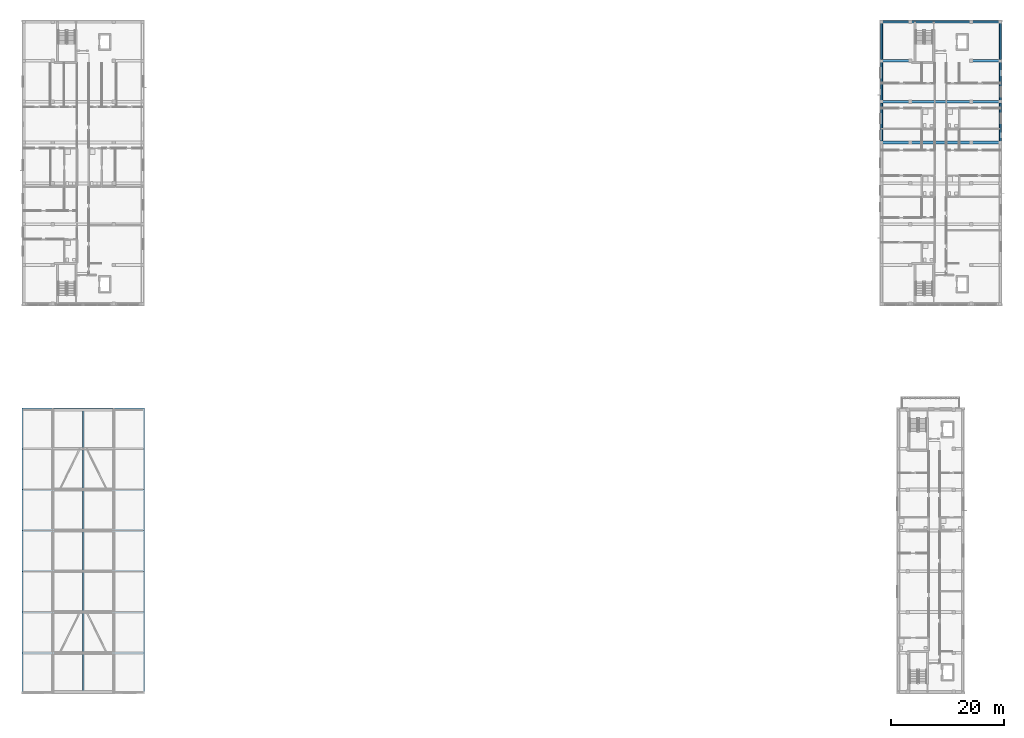
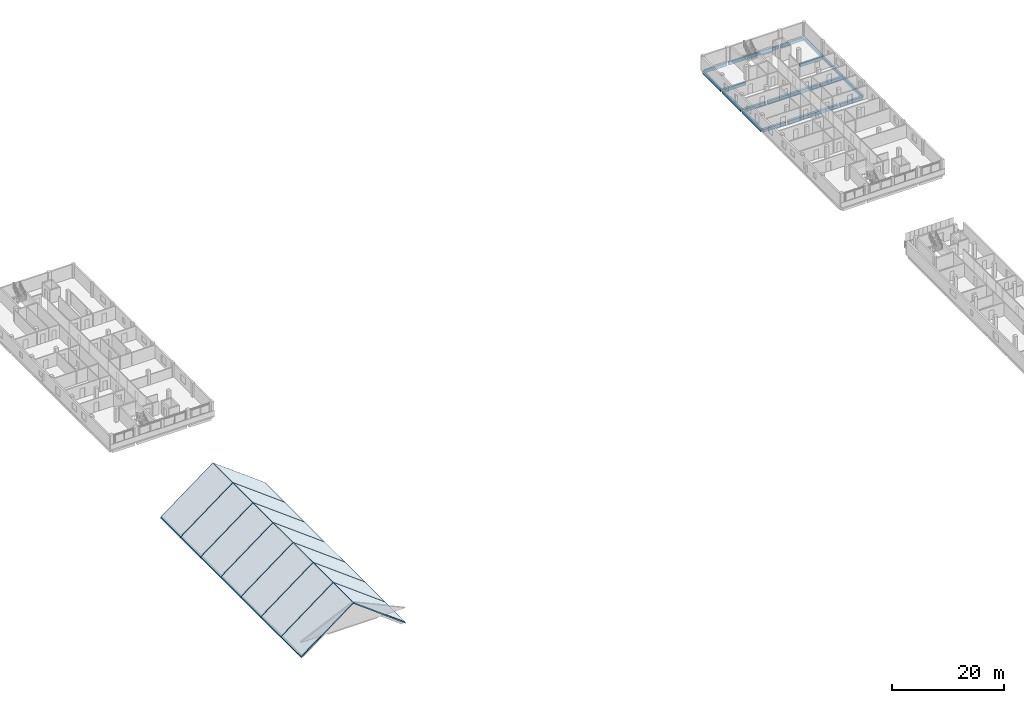
# One storey, part 7 of 35: 17 beams, 14 slabs, 1 element without a shape of its own.
"""IFC4 building model written with IfcOpenShell, lengths in metres."""

from ifc_helpers import new_model, si_unit, derived_unit, direction, frame, origin, origin_2d, place, context, subcontext, project, spatial, polyline, rectangle, outline, extrude, material, layer, layer_set, material_profile, profile_set, type_object, element, aggregate, save


model = new_model("IFC4")

# Units and contexts
model_context = context("Model", 3, precision=1e-05, world=origin(), true_north=direction((0.0, 1.0)))
body_context = subcontext(model_context, "Body", "Model", "MODEL_VIEW")
ifc_project = project(units=[si_unit("LENGTHUNIT", "METRE"), si_unit("AREAUNIT", "SQUARE_METRE"), si_unit("VOLUMEUNIT", "CUBIC_METRE"), si_unit("PLANEANGLEUNIT", "RADIAN"), si_unit("MASSUNIT", "GRAM", prefix="KILO"), derived_unit("THERMALTRANSMITTANCEUNIT", [(si_unit("MASSUNIT", "GRAM", prefix="KILO"), 1), (si_unit("TIMEUNIT", "SECOND"), -3), (si_unit("THERMODYNAMICTEMPERATUREUNIT", "KELVIN"), -1)])], contexts=[model_context])

# Site, building, storey
site_placement = place(None, origin())
site = spatial("IfcSite", under=ifc_project, at=site_placement, CompositionType="ELEMENT")
building_placement = place(site_placement, origin())
building = spatial("IfcBuilding", under=site, at=building_placement, Name="Ochrekiln Boulevard Commons", CompositionType="ELEMENT")
storey_placement = place(building_placement, frame((0.0, 0.0, 30.97509765625)))
storey = spatial("IfcBuildingStorey", under=building, at=storey_placement, Name="L09", CompositionType="ELEMENT", Elevation=30.97509765625)

# Beams
ifc_material_1 = material(Name="Concrete C35/45", Category="concrete")
ifc_material_profile_1 = material_profile(ifc_material_1, rectangle(XDim=0.449951171875, YDim=0.64990234375, at=origin_2d()), Name="RC-BM-450x650")
ifc_profile_set_1 = profile_set([ifc_material_profile_1], Name="Concrete C35/45")
beam_type_1 = type_object("IfcBeamType", Name="BM-RC-450x650", PredefinedType="BEAM", material=ifc_profile_set_1)
for number, where, z_axis, x_axis, name in (
    (1, (151.760009765625, 97.199951171875, -0.585205078125), (1.0, 0.0, 0.0), (0.0, 1.0, 0.0), "Block B L09 Beam B-4565 X12"),
    (2, (167.610107421875, 97.199951171875, -0.585205078125), (1.0, 0.0, 0.0), (0.0, 1.0, 0.0), "Block B L09 Beam B-4565 X14"),
    (3, (151.760009765625, 104.39990234375, -0.585205078125), (1.0, 0.0, 0.0), (0.0, 1.0, 0.0), "Block B L09 Beam B-4565 X15"),
    (4, (167.610107421875, 104.39990234375, -0.585205078125), (1.0, 0.0, 0.0), (0.0, 1.0, 0.0), "Block B L09 Beam B-4565 X17"),
    (5, (151.760009765625, 111.60009765625, -0.585205078125), (1.0, 0.0, 0.0), (0.0, 1.0, 0.0), "Block B L09 Beam B-4565 X18"),
    (6, (167.610107421875, 111.60009765625, -0.585205078125), (1.0, 0.0, 0.0), (0.0, 1.0, 0.0), "Block B L09 Beam B-4565 X19"),
):
    element("IfcBeam", number, at=place(storey_placement, frame(where, z_axis=z_axis, x_axis=x_axis)), inside=storey, type_object=beam_type_1, Name=name, PredefinedType="BEAM", context=body_context, shape_type="SweptSolid", body=[
        extrude(rectangle(XDim=0.449951171875, YDim=0.64990234375, at=origin_2d()), origin(), (0.0, 0.0, 1.0), 4.6298828125),
    ])
ifc_material_2 = material(Name="Concrete C40/50", Category="concrete")
ifc_material_profile_2 = material_profile(ifc_material_2, rectangle(XDim=0.5, YDim=0.699951171875, at=origin_2d()), Name="RC-BM-500x700")
ifc_profile_set_2 = profile_set([ifc_material_profile_2], Name="Concrete C40/50")
beam_type_2 = type_object("IfcBeamType", Name="BM-RC-500x700", PredefinedType="BEAM", material=ifc_profile_set_2)
for number, where, z_axis, x_axis, name in (
    (7, (156.81005859375, 97.199951171875, -0.610107421875), (1.0, 0.0, 0.0), (0.0, 1.0, 0.0), "Block B L09 Beam B-5070 X13"),
    (8, (156.81005859375, 104.39990234375, -0.610107421875), (1.0, 0.0, 0.0), (0.0, 1.0, 0.0), "Block B L09 Beam B-5070 X16"),
):
    element("IfcBeam", number, at=place(storey_placement, frame(where, z_axis=z_axis, x_axis=x_axis)), inside=storey, type_object=beam_type_2, Name=name, PredefinedType="BEAM", context=body_context, shape_type="SweptSolid", body=[
        extrude(rectangle(XDim=0.5, YDim=0.699951171875, at=origin_2d()), origin(), (0.0, 0.0, 1.0), 10.3798828125),
    ])
ifc_material_profile_3 = material_profile(ifc_material_2, rectangle(XDim=0.35009765625, YDim=0.64990234375, at=origin_2d()), Name="RC-SPN-350x650")
ifc_profile_set_3 = profile_set([ifc_material_profile_3], Name="Concrete C40/50")
beam_type_3 = type_object("IfcBeamType", Name="SPN-RC-350x650", PredefinedType="SPANDREL", material=ifc_profile_set_3)
beam_1_placement = place(storey_placement, frame((151.760009765625, 118.449951171875, -0.585205078125), z_axis=(1.0, 0.0, 0.0), x_axis=(0.0, 1.0, 0.0)))
element("IfcBeam", 9, at=beam_1_placement, inside=storey, type_object=beam_type_3, Name="Block B L09 Beam SP-3565 X20", PredefinedType="SPANDREL", context=body_context, shape_type="SweptSolid", body=[
    extrude(rectangle(XDim=0.35009765625, YDim=0.64990234375, at=origin_2d()), origin(), (0.0, 0.0, 1.0), 4.6298828125),
])
beam_2_placement = place(storey_placement, frame((156.81005859375, 118.449951171875, -0.585205078125), z_axis=(1.0, 0.0, 0.0), x_axis=(0.0, 1.0, 0.0)))
element("IfcBeam", 10, at=beam_2_placement, inside=storey, type_object=beam_type_3, Name="Block B L09 Beam SP-3565 X21", PredefinedType="SPANDREL", context=body_context, shape_type="SweptSolid", body=[
    extrude(rectangle(XDim=0.35009765625, YDim=0.64990234375, at=origin_2d()), origin(), (0.0, 0.0, 1.0), 10.3798828125),
])
beam_3_placement = place(storey_placement, frame((167.610107421875, 118.449951171875, -0.585205078125), z_axis=(1.0, 0.0, 0.0), x_axis=(0.0, 1.0, 0.0)))
element("IfcBeam", 11, at=beam_3_placement, inside=storey, type_object=beam_type_3, Name="Block B L09 Beam SP-3565 X22", PredefinedType="SPANDREL", context=body_context, shape_type="SweptSolid", body=[
    extrude(rectangle(XDim=0.35009765625, YDim=0.64990234375, at=origin_2d()), origin(), (0.0, 0.0, 1.0), 4.6298828125),
])
beam_4_placement = place(storey_placement, frame((151.550048828125, 97.409912109375, -0.585205078125), z_axis=(0.0, 1.0, 0.0), x_axis=(-1.0, 0.0, 0.0)))
element("IfcBeam", 12, at=beam_4_placement, inside=storey, type_object=beam_type_3, Name="Block B L09 Beam SP-3565 Y27", PredefinedType="SPANDREL", context=body_context, shape_type="SweptSolid", body=[
    extrude(rectangle(XDim=0.35009765625, YDim=0.64990234375, at=origin_2d()), origin(), (0.0, 0.0, 1.0), 6.780029296875),
])
beam_5_placement = place(storey_placement, frame((151.550048828125, 104.610107421875, -0.585205078125), z_axis=(0.0, 1.0, 0.0), x_axis=(-1.0, 0.0, 0.0)))
element("IfcBeam", 13, at=beam_5_placement, inside=storey, type_object=beam_type_3, Name="Block B L09 Beam SP-3565 Y28", PredefinedType="SPANDREL", context=body_context, shape_type="SweptSolid", body=[
    extrude(rectangle(XDim=0.35009765625, YDim=0.64990234375, at=origin_2d()), origin(), (0.0, 0.0, 1.0), 6.77978515625),
])
beam_6_placement = place(storey_placement, frame((151.550048828125, 111.81005859375, -0.585205078125), z_axis=(0.0, 1.0, 0.0), x_axis=(-1.0, 0.0, 0.0)))
element("IfcBeam", 14, at=beam_6_placement, inside=storey, type_object=beam_type_3, Name="Block B L09 Beam SP-3565 Y29", PredefinedType="SPANDREL", context=body_context, shape_type="SweptSolid", body=[
    extrude(rectangle(XDim=0.35009765625, YDim=0.64990234375, at=origin_2d()), origin(), (0.0, 0.0, 1.0), 6.429931640625),
])
beam_7_placement = place(storey_placement, frame((172.449951171875, 97.409912109375, -0.585205078125), z_axis=(0.0, 1.0, 0.0), x_axis=(-1.0, 0.0, 0.0)))
element("IfcBeam", 15, at=beam_7_placement, inside=storey, type_object=beam_type_3, Name="Block B L09 Beam SP-3565 Y34", PredefinedType="SPANDREL", context=body_context, shape_type="SweptSolid", body=[
    extrude(rectangle(XDim=0.35009765625, YDim=0.64990234375, at=origin_2d()), origin(), (0.0, 0.0, 1.0), 6.780029296875),
])
beam_8_placement = place(storey_placement, frame((172.449951171875, 104.610107421875, -0.585205078125), z_axis=(0.0, 1.0, 0.0), x_axis=(-1.0, 0.0, 0.0)))
element("IfcBeam", 16, at=beam_8_placement, inside=storey, type_object=beam_type_3, Name="Block B L09 Beam SP-3565 Y35", PredefinedType="SPANDREL", context=body_context, shape_type="SweptSolid", body=[
    extrude(rectangle(XDim=0.35009765625, YDim=0.64990234375, at=origin_2d()), origin(), (0.0, 0.0, 1.0), 6.77978515625),
])
beam_9_placement = place(storey_placement, frame((172.449951171875, 111.81005859375, -0.585205078125), z_axis=(0.0, 1.0, 0.0), x_axis=(-1.0, 0.0, 0.0)))
element("IfcBeam", 17, at=beam_9_placement, inside=storey, type_object=beam_type_3, Name="Block B L09 Beam SP-3565 Y36", PredefinedType="SPANDREL", context=body_context, shape_type="SweptSolid", body=[
    extrude(rectangle(XDim=0.35009765625, YDim=0.64990234375, at=origin_2d()), origin(), (0.0, 0.0, 1.0), 6.429931640625),
])

# Roof, slabs
roof_type = type_object("IfcRoofType", Name="ROOF-GABLE", PredefinedType="GABLE_ROOF", material=ifc_material_1)
roof_placement = place(storey_placement, origin())
roof = element("IfcRoof", 18, at=roof_placement, inside=storey, type_object=roof_type, Name="Block D Two-Storey Steep Solar Gable Roof", PredefinedType="GABLE_ROOF")
ifc_layer = layer(ifc_material_1, 0.239990234375)
ifc_layer_set = layer_set([ifc_layer], Name="Concrete C35/45")
slab_type = type_object("IfcSlabType", Name="SLB-GABLE-240", PredefinedType="ROOF", material=ifc_layer_set)
slab_1_placement = place(storey_placement, frame((0.0, 7.199951171875, -3.7001953125), z_axis=(0.0, -1.0, 0.0), x_axis=(1.0, 0.0, 0.0)))
slab_1 = element("IfcSlab", 19, at=slab_1_placement, type_object=slab_type, Name="Block D Solar Gable Roof Slab 1W", PredefinedType="ROOF", context=body_context, shape_type="SweptSolid", body=[
    extrude(outline(polyline([(0.0, 0.0), (10.800048828125, 8.10009765625), (10.800048828125, 7.800048828125), (0.0, -0.300048828125), (0.0, 0.0)])), origin(), (0.0, 0.0, 1.0), 7.199951171875),
])
slab_2_placement = place(storey_placement, frame((21.60009765625, 0.0, -3.7001953125), z_axis=(0.0, 1.0, 0.0), x_axis=(-1.0, 0.0, 0.0)))
slab_2 = element("IfcSlab", 20, at=slab_2_placement, type_object=slab_type, Name="Block D Solar Gable Roof Slab 1E", PredefinedType="ROOF", context=body_context, shape_type="SweptSolid", body=[
    extrude(outline(polyline([(0.0, 0.0), (10.800048828125, 8.10009765625), (10.800048828125, 7.800048828125), (0.0, -0.300048828125), (0.0, 0.0)])), origin(), (0.0, 0.0, 1.0), 7.199951171875),
])
slab_3_placement = place(storey_placement, frame((0.0, 14.39990234375, -3.7001953125), z_axis=(0.0, -1.0, 0.0), x_axis=(1.0, 0.0, 0.0)))
slab_3 = element("IfcSlab", 21, at=slab_3_placement, type_object=slab_type, Name="Block D Solar Gable Roof Slab 2W", PredefinedType="ROOF", context=body_context, shape_type="SweptSolid", body=[
    extrude(outline(polyline([(0.0, 0.0), (10.800048828125, 8.10009765625), (10.800048828125, 7.800048828125), (0.0, -0.300048828125), (0.0, 0.0)])), origin(), (0.0, 0.0, 1.0), 7.199951171875),
])
slab_4_placement = place(storey_placement, frame((21.60009765625, 7.199951171875, -3.7001953125), z_axis=(0.0, 1.0, 0.0), x_axis=(-1.0, 0.0, 0.0)))
slab_4 = element("IfcSlab", 22, at=slab_4_placement, type_object=slab_type, Name="Block D Solar Gable Roof Slab 2E", PredefinedType="ROOF", context=body_context, shape_type="SweptSolid", body=[
    extrude(outline(polyline([(0.0, 0.0), (10.800048828125, 8.10009765625), (10.800048828125, 7.800048828125), (0.0, -0.300048828125), (0.0, 0.0)])), origin(), (0.0, 0.0, 1.0), 7.199951171875),
])
slab_5_placement = place(storey_placement, frame((0.0, 21.60009765625, -3.7001953125), z_axis=(0.0, -1.0, 0.0), x_axis=(1.0, 0.0, 0.0)))
slab_5 = element("IfcSlab", 23, at=slab_5_placement, type_object=slab_type, Name="Block D Solar Gable Roof Slab 3W", PredefinedType="ROOF", context=body_context, shape_type="SweptSolid", body=[
    extrude(outline(polyline([(0.0, 0.0), (10.800048828125, 8.10009765625), (10.800048828125, 7.800048828125), (0.0, -0.300048828125), (0.0, 0.0)])), origin(), (0.0, 0.0, 1.0), 7.199951171875),
])
slab_6_placement = place(storey_placement, frame((21.60009765625, 14.39990234375, -3.7001953125), z_axis=(0.0, 1.0, 0.0), x_axis=(-1.0, 0.0, 0.0)))
slab_6 = element("IfcSlab", 24, at=slab_6_placement, type_object=slab_type, Name="Block D Solar Gable Roof Slab 3E", PredefinedType="ROOF", context=body_context, shape_type="SweptSolid", body=[
    extrude(outline(polyline([(0.0, 0.0), (10.800048828125, 8.10009765625), (10.800048828125, 7.800048828125), (0.0, -0.300048828125), (0.0, 0.0)])), origin(), (0.0, 0.0, 1.0), 7.199951171875),
])
slab_7_placement = place(storey_placement, frame((0.0, 28.800048828125, -3.7001953125), z_axis=(0.0, -1.0, 0.0), x_axis=(1.0, 0.0, 0.0)))
slab_7 = element("IfcSlab", 25, at=slab_7_placement, type_object=slab_type, Name="Block D Solar Gable Roof Slab 4W", PredefinedType="ROOF", context=body_context, shape_type="SweptSolid", body=[
    extrude(outline(polyline([(0.0, 0.0), (10.800048828125, 8.10009765625), (10.800048828125, 7.800048828125), (0.0, -0.300048828125), (0.0, 0.0)])), origin(), (0.0, 0.0, 1.0), 7.199951171875),
])
slab_8_placement = place(storey_placement, frame((21.60009765625, 21.60009765625, -3.7001953125), z_axis=(0.0, 1.0, 0.0), x_axis=(-1.0, 0.0, 0.0)))
slab_8 = element("IfcSlab", 26, at=slab_8_placement, type_object=slab_type, Name="Block D Solar Gable Roof Slab 4E", PredefinedType="ROOF", context=body_context, shape_type="SweptSolid", body=[
    extrude(outline(polyline([(0.0, 0.0), (10.800048828125, 8.10009765625), (10.800048828125, 7.800048828125), (0.0, -0.300048828125), (0.0, 0.0)])), origin(), (0.0, 0.0, 1.0), 7.199951171875),
])
slab_9_placement = place(storey_placement, frame((0.0, 36.0, -3.7001953125), z_axis=(0.0, -1.0, 0.0), x_axis=(1.0, 0.0, 0.0)))
slab_9 = element("IfcSlab", 27, at=slab_9_placement, type_object=slab_type, Name="Block D Solar Gable Roof Slab 5W", PredefinedType="ROOF", context=body_context, shape_type="SweptSolid", body=[
    extrude(outline(polyline([(0.0, 0.0), (10.800048828125, 8.10009765625), (10.800048828125, 7.800048828125), (0.0, -0.300048828125), (0.0, 0.0)])), origin(), (0.0, 0.0, 1.0), 7.199951171875),
])
slab_10_placement = place(storey_placement, frame((21.60009765625, 28.800048828125, -3.7001953125), z_axis=(0.0, 1.0, 0.0), x_axis=(-1.0, 0.0, 0.0)))
slab_10 = element("IfcSlab", 28, at=slab_10_placement, type_object=slab_type, Name="Block D Solar Gable Roof Slab 5E", PredefinedType="ROOF", context=body_context, shape_type="SweptSolid", body=[
    extrude(outline(polyline([(0.0, 0.0), (10.800048828125, 8.10009765625), (10.800048828125, 7.800048828125), (0.0, -0.300048828125), (0.0, 0.0)])), origin(), (0.0, 0.0, 1.0), 7.199951171875),
])
slab_11_placement = place(storey_placement, frame((0.0, 43.199951171875, -3.7001953125), z_axis=(0.0, -1.0, 0.0), x_axis=(1.0, 0.0, 0.0)))
slab_11 = element("IfcSlab", 29, at=slab_11_placement, type_object=slab_type, Name="Block D Solar Gable Roof Slab 6W", PredefinedType="ROOF", context=body_context, shape_type="SweptSolid", body=[
    extrude(outline(polyline([(0.0, 0.0), (10.800048828125, 8.10009765625), (10.800048828125, 7.800048828125), (0.0, -0.300048828125), (0.0, 0.0)])), origin(), (0.0, 0.0, 1.0), 7.199951171875),
])
slab_12_placement = place(storey_placement, frame((21.60009765625, 36.0, -3.7001953125), z_axis=(0.0, 1.0, 0.0), x_axis=(-1.0, 0.0, 0.0)))
slab_12 = element("IfcSlab", 30, at=slab_12_placement, type_object=slab_type, Name="Block D Solar Gable Roof Slab 6E", PredefinedType="ROOF", context=body_context, shape_type="SweptSolid", body=[
    extrude(outline(polyline([(0.0, 0.0), (10.800048828125, 8.10009765625), (10.800048828125, 7.800048828125), (0.0, -0.300048828125), (0.0, 0.0)])), origin(), (0.0, 0.0, 1.0), 7.199951171875),
])
slab_13_placement = place(storey_placement, frame((0.0, 50.39990234375, -3.7001953125), z_axis=(0.0, -1.0, 0.0), x_axis=(1.0, 0.0, 0.0)))
slab_13 = element("IfcSlab", 31, at=slab_13_placement, type_object=slab_type, Name="Block D Solar Gable Roof Slab 7W", PredefinedType="ROOF", context=body_context, shape_type="SweptSolid", body=[
    extrude(outline(polyline([(0.0, 0.0), (10.800048828125, 8.10009765625), (10.800048828125, 7.800048828125), (0.0, -0.300048828125), (0.0, 0.0)])), origin(), (0.0, 0.0, 1.0), 7.199951171875),
])
slab_14_placement = place(storey_placement, frame((21.60009765625, 43.199951171875, -3.7001953125), z_axis=(0.0, 1.0, 0.0), x_axis=(-1.0, 0.0, 0.0)))
slab_14 = element("IfcSlab", 32, at=slab_14_placement, type_object=slab_type, Name="Block D Solar Gable Roof Slab 7E", PredefinedType="ROOF", context=body_context, shape_type="SweptSolid", body=[
    extrude(outline(polyline([(0.0, 0.0), (10.800048828125, 8.10009765625), (10.800048828125, 7.800048828125), (0.0, -0.300048828125), (0.0, 0.0)])), origin(), (0.0, 0.0, 1.0), 7.199951171875),
])
aggregate(roof, [slab_1, slab_2, slab_3, slab_4, slab_5, slab_6, slab_7, slab_8, slab_9, slab_10, slab_11, slab_12, slab_13, slab_14])

save(model, "model.ifc")
